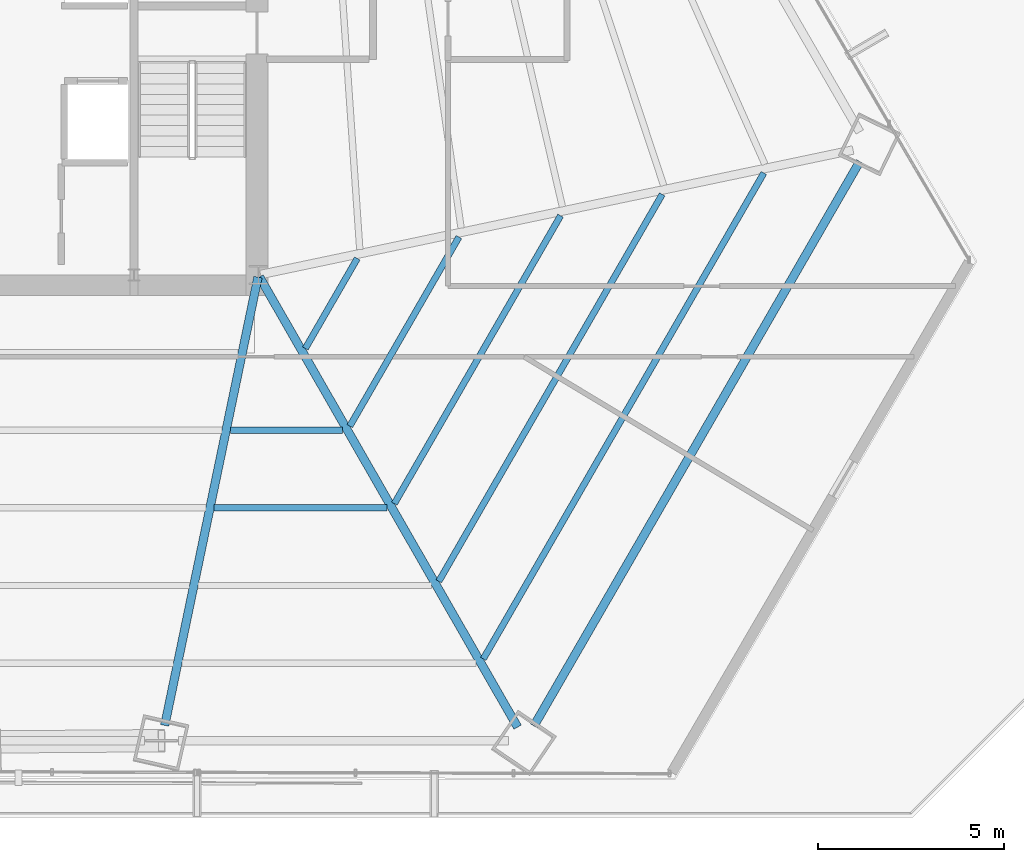
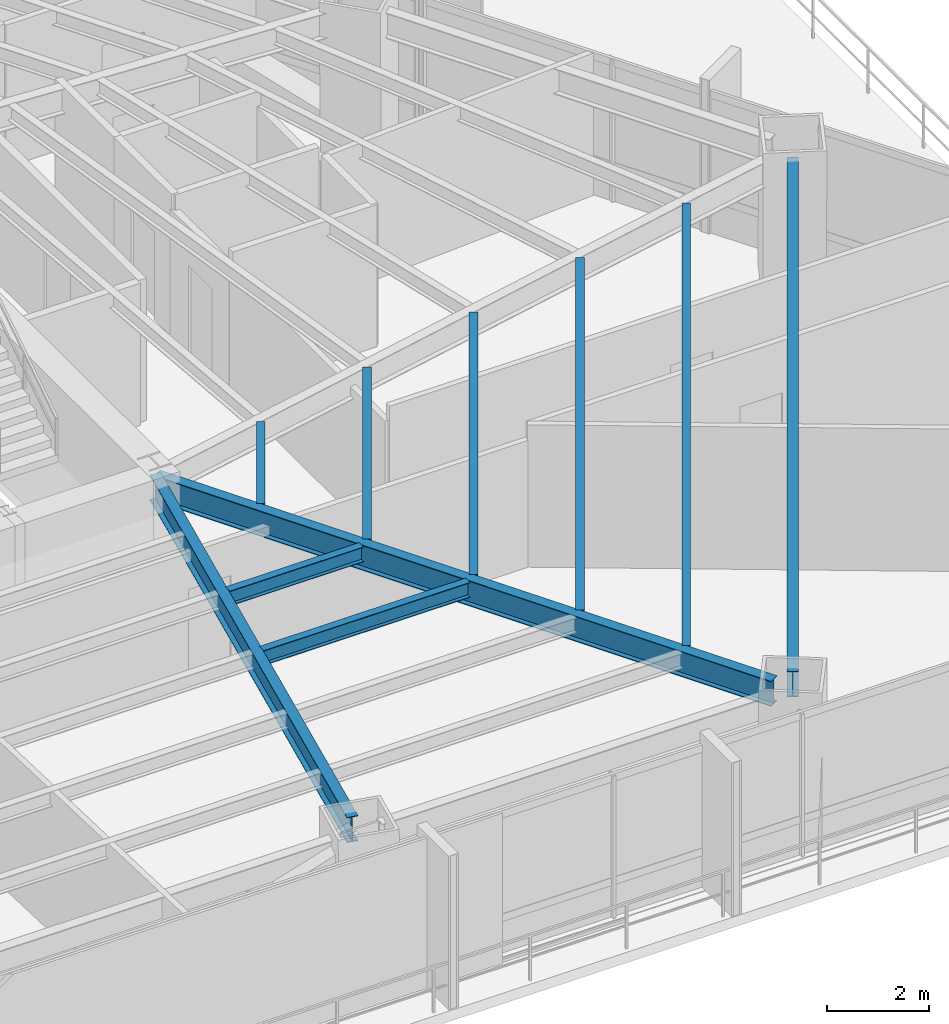
# One storey, part 14 of 35: 10 beams.
"""IFC4 building model written with IfcOpenShell, lengths in metres."""

from ifc_helpers import new_model, si_unit, direction, frame, origin, origin_2d, place, context, subcontext, project, spatial, i_section, extrude, source, transform, mapped, material, material_profile, profile_set, type_object, type_shapes, element, save


model = new_model("IFC4")

# Units and contexts
model_context = context("Model", 3, precision=1e-05, world=origin(), true_north=direction((0.0, 1.0)))
body_context = subcontext(model_context, "Body", "Model", "MODEL_VIEW")
ifc_project = project(units=[si_unit("LENGTHUNIT", "METRE"), si_unit("AREAUNIT", "SQUARE_METRE"), si_unit("VOLUMEUNIT", "CUBIC_METRE"), si_unit("PLANEANGLEUNIT", "RADIAN"), si_unit("MASSUNIT", "GRAM", prefix="KILO")], contexts=[model_context])

# Site, building, storey
site_placement = place(None, origin())
site = spatial("IfcSite", under=ifc_project, at=site_placement, CompositionType="ELEMENT")
building_placement = place(site_placement, origin())
building = spatial("IfcBuilding", under=site, at=building_placement, Name="Caelisora Broadcast Tower", CompositionType="ELEMENT")
storey_placement = place(building_placement, frame((0.0, 0.0, 27.60009765625)))
storey = spatial("IfcBuildingStorey", under=building, at=storey_placement, Name="L06", CompositionType="ELEMENT", Elevation=27.60009765625)

# Beams
ifc_material = material(Name="Steel Grade 350 (AS/NZS 3679.1)", Category="steel")
ifc_material_profile_1 = material_profile(ifc_material, i_section(OverallWidth=0.22900390625, OverallDepth=0.611572265625, WebThickness=0.011962890625, FlangeThickness=0.01953125, at=origin_2d()), Name="Steel Grade 350 (AS/NZS 3679.1)")
ifc_profile_set_1 = profile_set([ifc_material_profile_1], Name="Steel Grade 350 (AS/NZS 3679.1)")
beam_type_1 = type_object("IfcBeamType", Name="PG03", PredefinedType="BEAM", material=ifc_profile_set_1)
shared_shape_1 = source(origin(), body_context, "Body", "SweptSolid", [
    extrude(i_section(OverallWidth=0.22900390625, OverallDepth=0.611572265625, WebThickness=0.011962890625, FlangeThickness=0.01953125, at=origin_2d()), origin(), (0.0, 0.0, 1.0), 17.528564453125),
])
type_shapes(beam_type_1, [shared_shape_1])
beam_1_placement = place(storey_placement, frame((52.91162109375, 5.270751953125, 3.093994140625), z_axis=(0.499994933211, 0.866028329077, 0.0), x_axis=(-0.866028329077, 0.499994933211, 0.0)))
element("IfcBeam", 1, at=beam_1_placement, inside=storey, type_object=beam_type_1, Name="L06 beam PG03", PredefinedType="BEAM", context=body_context, shape_type="MappedRepresentation", body=[
    mapped(shared_shape_1, transform((0.0, 0.0, 0.0), scale=1.0)),
])
ifc_material_profile_2 = material_profile(ifc_material, i_section(OverallWidth=0.22802734375, OverallDepth=0.602294921875, WebThickness=0.010498046875, FlangeThickness=0.014892578125, at=origin_2d()), Name="Steel Grade 350 (AS/NZS 3679.1)")
ifc_profile_set_2 = profile_set([ifc_material_profile_2], Name="Steel Grade 350 (AS/NZS 3679.1)")
beam_type_2 = type_object("IfcBeamType", Name="PG04", PredefinedType="BEAM", material=ifc_profile_set_2)
shared_shape_2 = source(origin(), body_context, "Body", "SweptSolid", [
    extrude(i_section(OverallWidth=0.22802734375, OverallDepth=0.602294921875, WebThickness=0.010498046875, FlangeThickness=0.014892578125, at=origin_2d()), origin(), (0.0, 0.0, 1.0), 13.9599609375),
])
beam_2_placement = place(storey_placement, frame((45.52978515625, 17.347900390625, 3.098876953125), z_axis=(0.497340062779, -0.867555682337, 0.0), x_axis=(0.867555682337, 0.497340062779, 0.0)))
element("IfcBeam", 2, at=beam_2_placement, inside=storey, type_object=beam_type_2, Name="L06 beam PG04", PredefinedType="BEAM", context=body_context, shape_type="MappedRepresentation", body=[
    mapped(shared_shape_2, transform((0.0, 0.0, 0.0), scale=1.0)),
])
shared_shape_3 = source(origin(), body_context, "Body", "SweptSolid", [
    extrude(i_section(OverallWidth=0.22802734375, OverallDepth=0.602294921875, WebThickness=0.010498046875, FlangeThickness=0.014892578125, at=origin_2d()), origin(), (0.0, 0.0, 1.0), 12.31591796875),
])
type_shapes(beam_type_2, [shared_shape_2, shared_shape_3])
beam_3_placement = place(storey_placement, frame((45.48779296875, 17.34130859375, 3.098876953125), z_axis=(-0.203681144189, -0.979037277892, 0.0), x_axis=(0.979037277892, -0.203681144189, 0.0)))
element("IfcBeam", 3, at=beam_3_placement, inside=storey, type_object=beam_type_2, Name="L06 beam PG04", PredefinedType="BEAM", context=body_context, shape_type="MappedRepresentation", body=[
    mapped(shared_shape_3, transform((0.0, 0.0, 0.0), scale=1.0)),
])
ifc_material_profile_3 = material_profile(ifc_material, i_section(OverallWidth=0.172119140625, OverallDepth=0.358642578125, WebThickness=0.008056640625, FlangeThickness=0.012939453125, at=origin_2d()), Name="Steel Grade 350 (AS/NZS 3679.1)")
ifc_profile_set_3 = profile_set([ifc_material_profile_3], Name="Steel Grade 350 (AS/NZS 3679.1)")
beam_type_3 = type_object("IfcBeamType", Name="SB02", PredefinedType="JOIST", material=ifc_profile_set_3)
shared_shape_4 = source(origin(), body_context, "Body", "SweptSolid", [
    extrude(i_section(OverallWidth=0.172119140625, OverallDepth=0.358642578125, WebThickness=0.008056640625, FlangeThickness=0.012939453125, at=origin_2d()), origin(), (0.0, 0.0, 1.0), 2.7958984375),
])
beam_4_placement = place(storey_placement, frame((46.761474609375, 15.423583984375, 3.220703125), z_axis=(0.499924029065, 0.866069261182, 0.0), x_axis=(-0.866069261182, 0.499924029065, 0.0)))
element("IfcBeam", 4, at=beam_4_placement, inside=storey, type_object=beam_type_3, Name="L06 beam SB02", PredefinedType="JOIST", context=body_context, shape_type="MappedRepresentation", body=[
    mapped(shared_shape_4, transform((0.0, 0.0, 0.0), scale=1.0)),
])
shared_shape_5 = source(origin(), body_context, "Body", "SweptSolid", [
    extrude(i_section(OverallWidth=0.172119140625, OverallDepth=0.358642578125, WebThickness=0.008056640625, FlangeThickness=0.012939453125, at=origin_2d()), origin(), (0.0, 0.0, 1.0), 5.87060546875),
])
beam_5_placement = place(storey_placement, frame((47.958251953125, 13.335693359375, 3.220703125), z_axis=(0.499990039386, 0.866031154471, 0.0), x_axis=(-0.866031154471, 0.499990039386, 0.0)))
element("IfcBeam", 5, at=beam_5_placement, inside=storey, type_object=beam_type_3, Name="L06 beam SB02", PredefinedType="JOIST", context=body_context, shape_type="MappedRepresentation", body=[
    mapped(shared_shape_5, transform((0.0, 0.0, 0.0), scale=1.0)),
])
shared_shape_6 = source(origin(), body_context, "Body", "SweptSolid", [
    extrude(i_section(OverallWidth=0.172119140625, OverallDepth=0.358642578125, WebThickness=0.008056640625, FlangeThickness=0.012939453125, at=origin_2d()), origin(), (0.0, 0.0, 1.0), 8.9453125),
])
beam_6_placement = place(storey_placement, frame((49.1552734375, 11.247802734375, 3.220703125), z_axis=(0.500002018464, 0.866024238421, 0.0), x_axis=(-0.866024238421, 0.500002018464, 0.0)))
element("IfcBeam", 6, at=beam_6_placement, inside=storey, type_object=beam_type_3, Name="L06 beam SB02", PredefinedType="JOIST", context=body_context, shape_type="MappedRepresentation", body=[
    mapped(shared_shape_6, transform((0.0, 0.0, 0.0), scale=1.0)),
])
shared_shape_7 = source(origin(), body_context, "Body", "SweptSolid", [
    extrude(i_section(OverallWidth=0.172119140625, OverallDepth=0.358642578125, WebThickness=0.008056640625, FlangeThickness=0.012939453125, at=origin_2d()), origin(), (0.0, 0.0, 1.0), 12.020263671875),
])
beam_7_placement = place(storey_placement, frame((50.35205078125, 9.159912109375, 3.220703125), z_axis=(0.500014307286, 0.866017143312, 0.0), x_axis=(-0.866017143312, 0.500014307286, 0.0)))
element("IfcBeam", 7, at=beam_7_placement, inside=storey, type_object=beam_type_3, Name="L06 beam SB02", PredefinedType="JOIST", context=body_context, shape_type="MappedRepresentation", body=[
    mapped(shared_shape_7, transform((0.0, 0.0, 0.0), scale=1.0)),
])
shared_shape_8 = source(origin(), body_context, "Body", "SweptSolid", [
    extrude(i_section(OverallWidth=0.172119140625, OverallDepth=0.358642578125, WebThickness=0.008056640625, FlangeThickness=0.012939453125, at=origin_2d()), origin(), (0.0, 0.0, 1.0), 15.094482421875),
])
beam_8_placement = place(storey_placement, frame((51.549072265625, 7.072021484375, 3.220703125), z_axis=(0.500004332856, 0.866022902194, 0.0), x_axis=(-0.866022902194, 0.500004332856, 0.0)))
element("IfcBeam", 8, at=beam_8_placement, inside=storey, type_object=beam_type_3, Name="L06 beam SB02", PredefinedType="JOIST", context=body_context, shape_type="MappedRepresentation", body=[
    mapped(shared_shape_8, transform((0.0, 0.0, 0.0), scale=1.0)),
])
shared_shape_9 = source(origin(), body_context, "Body", "SweptSolid", [
    extrude(i_section(OverallWidth=0.172119140625, OverallDepth=0.358642578125, WebThickness=0.008056640625, FlangeThickness=0.012939453125, at=origin_2d()), origin(), (0.0, 0.0, 1.0), 3.020751953125),
])
beam_9_placement = place(storey_placement, frame((44.74462890625, 13.22412109375, 3.220703125), z_axis=(1.0, 0.0, 0.0), x_axis=(0.0, 1.0, 0.0)))
element("IfcBeam", 9, at=beam_9_placement, inside=storey, type_object=beam_type_3, Name="L06 beam SB02", PredefinedType="JOIST", context=body_context, shape_type="MappedRepresentation", body=[
    mapped(shared_shape_9, transform((0.0, 0.0, 0.0), scale=1.0)),
])
shared_shape_10 = source(origin(), body_context, "Body", "SweptSolid", [
    extrude(i_section(OverallWidth=0.172119140625, OverallDepth=0.358642578125, WebThickness=0.008056640625, FlangeThickness=0.012939453125, at=origin_2d()), origin(), (0.0, 0.0, 1.0), 4.652099609375),
])
type_shapes(beam_type_3, [shared_shape_4, shared_shape_5, shared_shape_6, shared_shape_7, shared_shape_8, shared_shape_9, shared_shape_10])
beam_10_placement = place(storey_placement, frame((44.310302734375, 11.135986328125, 3.220703125), z_axis=(1.0, 0.0, 0.0), x_axis=(0.0, 1.0, 0.0)))
element("IfcBeam", 10, at=beam_10_placement, inside=storey, type_object=beam_type_3, Name="L06 beam SB02", PredefinedType="JOIST", context=body_context, shape_type="MappedRepresentation", body=[
    mapped(shared_shape_10, transform((0.0, 0.0, 0.0), scale=1.0)),
])

save(model, "model.ifc")
